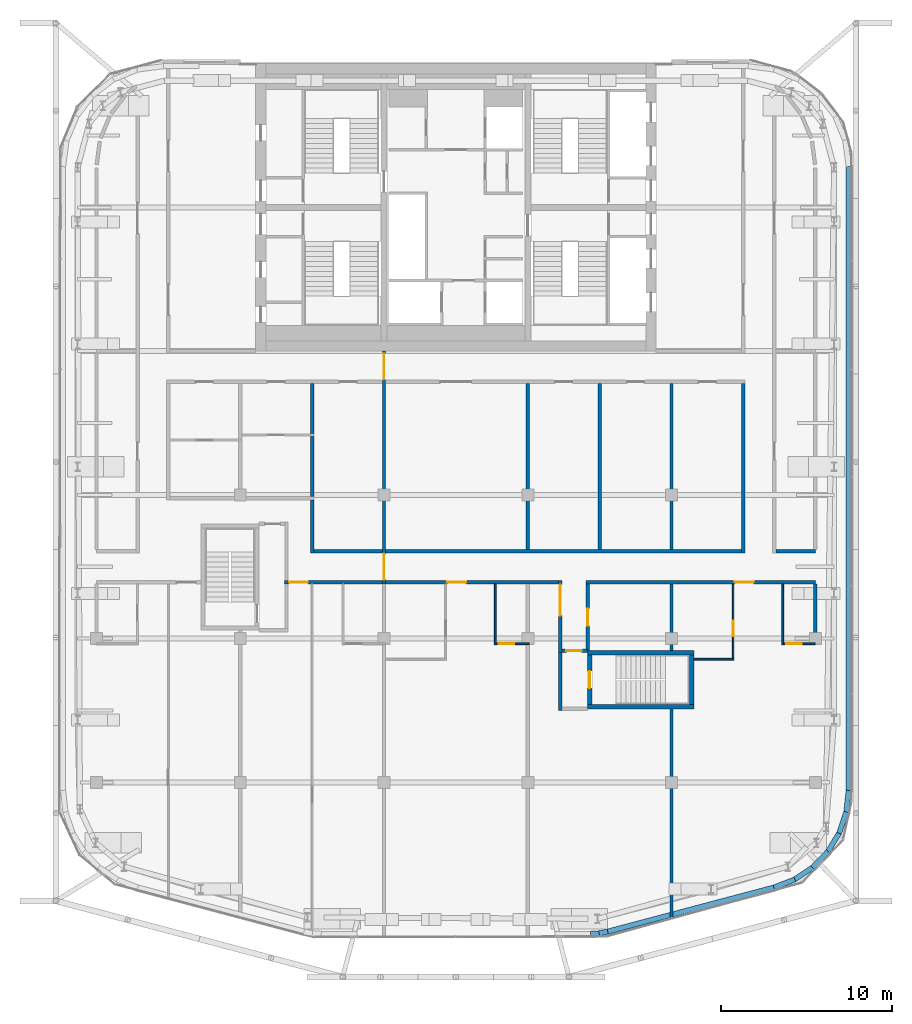
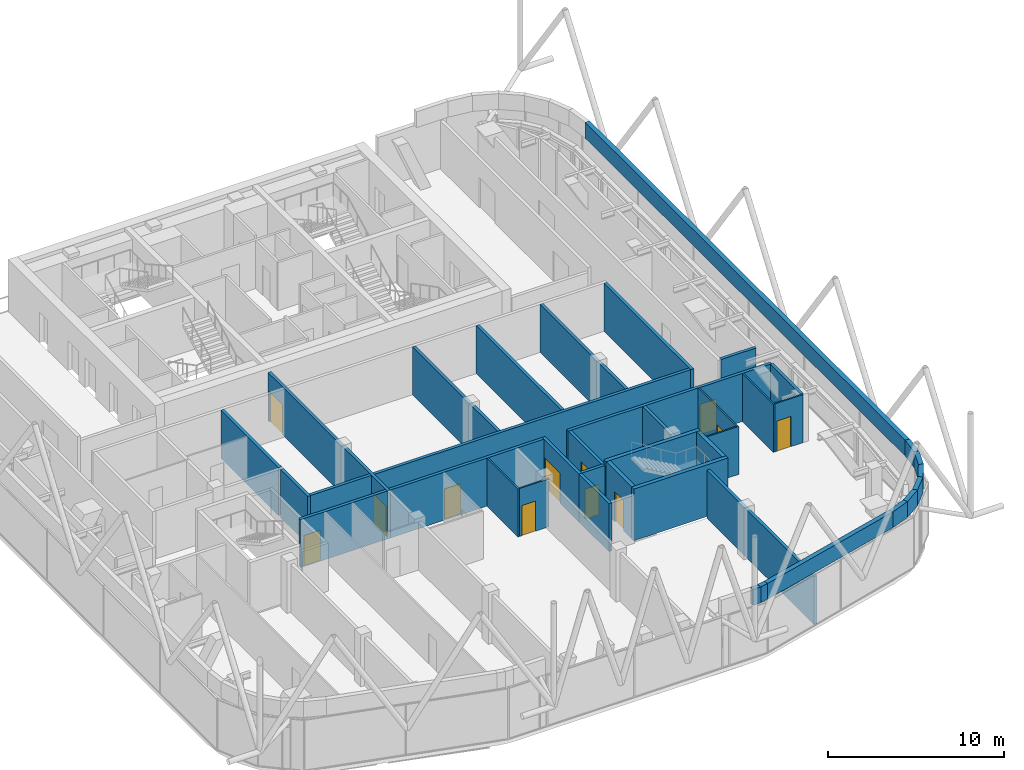
# One storey, part 20 of 25: 38 walls, 12 doors, 12 openings.
"""IFC4 building model written with IfcOpenShell, lengths in metres."""

from ifc_helpers import new_model, si_unit, direction, frame, frame_2d, origin, place, context, subcontext, project, spatial, rectangle, extrude, material, layer, layer_set, type_object, element, fill, save


model = new_model("IFC4")

# Units and contexts
model_context = context("Model", 3, precision=1e-05, world=origin(), true_north=direction((0.0, 1.0)))
body_context = subcontext(model_context, "Body", "Model", "MODEL_VIEW")
ifc_project = project(units=[si_unit("LENGTHUNIT", "METRE"), si_unit("AREAUNIT", "SQUARE_METRE"), si_unit("VOLUMEUNIT", "CUBIC_METRE"), si_unit("PLANEANGLEUNIT", "RADIAN"), si_unit("MASSUNIT", "GRAM", prefix="KILO")], contexts=[model_context])

# Site, building, storey
site_placement = place(None, origin())
site = spatial("IfcSite", under=ifc_project, at=site_placement, CompositionType="ELEMENT")
building_placement = place(site_placement, origin())
building = spatial("IfcBuilding", under=site, at=building_placement, Name="Marenta Gate Hotel Tower", CompositionType="ELEMENT")
storey_placement = place(building_placement, frame((0.0, 0.0, 277.699951171875)))
storey = spatial("IfcBuildingStorey", under=building, at=storey_placement, Name="L64", CompositionType="ELEMENT", Elevation=277.699951171875)

# Wall, openings, doors
ifc_material_1 = material(Name="Concrete blockwork", Category="masonry")
ifc_layer_1 = layer(ifc_material_1, 0.199951171875)
ifc_layer_set_1 = layer_set([ifc_layer_1], Name="Concrete blockwork")
wall_type_1 = type_object("IfcWallType", Name="Compartment wall 200 REI 180", PredefinedType="PARTITIONING", material=ifc_layer_set_1)
wall_1_placement = place(storey_placement, frame((-4.199951171875, -13.60009765625, 0.0), z_axis=(0.0, 0.0, 1.0), x_axis=(0.0, 1.0, 0.0)))
wall_1 = element("IfcWall", 1, at=wall_1_placement, inside=storey, type_object=wall_type_1, Name="L64-PTN-W041", PredefinedType="PARTITIONING", context=body_context, shape_type="SweptSolid", body=[
    extrude(rectangle(XDim=13.60009765625, YDim=0.199951171875, at=frame_2d((6.800048828125, 0.0))), origin(), (0.0, 0.0, 1.0), 3.340087890625),
])
opening_1_placement = place(wall_1_placement, frame((11.949951171875, 0.0, 0.0)))
opening_1 = element("IfcOpeningElement", 2, at=opening_1_placement, cuts=wall_1, Name="Opening G23-FD1", PredefinedType="OPENING", context=body_context, shape_type="SweptSolid", body=[
    extrude(rectangle(XDim=1.5, YDim=2.10009765625, at=frame_2d((0.75, 1.050048828125))), frame((0.0, 0.10009765625, 0.0), z_axis=(0.0, -1.0, 0.0), x_axis=(1.0, 0.0, 0.0)), (0.0, 0.0, 1.0), 0.199951171875),
])
opening_2_placement = place(wall_1_placement, frame((0.25, 0.0, 0.0)))
opening_2 = element("IfcOpeningElement", 3, at=opening_2_placement, cuts=wall_1, Name="Opening G23-FD2", PredefinedType="OPENING", context=body_context, shape_type="SweptSolid", body=[
    extrude(rectangle(XDim=1.5, YDim=2.10009765625, at=frame_2d((0.75, 1.050048828125))), frame((0.0, 0.10009765625, 0.0), z_axis=(0.0, -1.0, 0.0), x_axis=(1.0, 0.0, 0.0)), (0.0, 0.0, 1.0), 0.199951171875),
])
ifc_material_2 = material(Name="Hollow steel door set", Category="steel")
door_type_1 = type_object("IfcDoorType", Name="Compartment fire door 1500x2100 EI 60", OperationType="DOUBLE_DOOR_DOUBLE_SWING", PredefinedType="DOOR", material=ifc_material_2)
door_1_placement = place(opening_1_placement, origin())
door_1 = element("IfcDoor", 4, at=door_1_placement, inside=storey, type_object=door_type_1, Name="L64-PD-FD01", OperationType="DOUBLE_DOOR_DOUBLE_SWING", OverallHeight=2.10009765625, OverallWidth=1.5, PredefinedType="DOOR", context=body_context, shape_type="SweptSolid", body=[
    extrude(rectangle(XDim=1.5, YDim=2.10009765625, at=frame_2d((0.75, 1.050048828125))), frame((0.0, 0.02490234375, 0.0), z_axis=(0.0, -1.0, 0.0), x_axis=(1.0, 0.0, 0.0)), (0.0, 0.0, 1.0), 0.050048828125),
])
fill(opening_1, door_1)
door_2_placement = place(opening_2_placement, origin())
door_2 = element("IfcDoor", 5, at=door_2_placement, inside=storey, type_object=door_type_1, Name="L64-PD-FD02", OperationType="DOUBLE_DOOR_DOUBLE_SWING", OverallHeight=2.10009765625, OverallWidth=1.5, PredefinedType="DOOR", context=body_context, shape_type="SweptSolid", body=[
    extrude(rectangle(XDim=1.5, YDim=2.10009765625, at=frame_2d((0.75, 1.050048828125))), frame((0.0, 0.02490234375, 0.0), z_axis=(0.0, -1.0, 0.0), x_axis=(1.0, 0.0, 0.0)), (0.0, 0.0, 1.0), 0.050048828125),
])
fill(opening_2, door_2)

# Walls
ifc_material_3 = material(Name="Concrete C40 board-marked", Category="concrete")
ifc_layer_2 = layer(ifc_material_3, 0.300048828125)
ifc_layer_set_2 = layer_set([ifc_layer_2], Name="Concrete C40 board-marked")
wall_type_2 = type_object("IfcWallType", Name="Parapet 300 mm board-marked concrete", PredefinedType="PARAPET", material=ifc_layer_set_2)
wall_2_placement = place(storey_placement, frame((22.949951171875, 10.800048828125, 3.60009765625), z_axis=(0.0, 0.0, 1.0), x_axis=(0.0, -1.0, 0.0)))
element("IfcWall", 6, at=wall_2_placement, inside=storey, type_object=wall_type_2, Name="L64-PAR-10060", PredefinedType="PARAPET", context=body_context, shape_type="SweptSolid", body=[
    extrude(rectangle(XDim=36.484375, YDim=0.300048828125, at=frame_2d((18.2421875, 0.0))), origin(), (0.0, 0.0, 1.0), 1.099853515625),
])
wall_3_placement = place(storey_placement, frame((22.950927734375, -25.66796875, 3.60009765625), z_axis=(0.0, 0.0, 1.0), x_axis=(-0.109121157301, -0.994028456851, 0.0)))
element("IfcWall", 7, at=wall_3_placement, inside=storey, type_object=wall_type_2, Name="L64-PAR-10070", PredefinedType="PARAPET", context=body_context, shape_type="SweptSolid", body=[
    extrude(rectangle(XDim=1.308837890625, YDim=0.300048828125, at=frame_2d((0.654296875, 0.0))), origin(), (0.0, 0.0, 1.0), 1.099853515625),
])
wall_4_placement = place(storey_placement, frame((22.815185546875, -26.93701171875, 3.60009765625), z_axis=(0.0, 0.0, 1.0), x_axis=(-0.321986341971, -0.946744313732, 0.0)))
element("IfcWall", 8, at=wall_4_placement, inside=storey, type_object=wall_type_2, Name="L64-PAR-10080", PredefinedType="PARAPET", context=body_context, shape_type="SweptSolid", body=[
    extrude(rectangle(XDim=1.30859375, YDim=0.300048828125, at=frame_2d((0.654296875, 0.0))), origin(), (0.0, 0.0, 1.0), 1.099853515625),
])
wall_5_placement = place(storey_placement, frame((22.40771484375, -28.146484375, 3.60009765625), z_axis=(0.0, 0.0, 1.0), x_axis=(-0.519751696049, -0.854317373377, 0.0)))
element("IfcWall", 9, at=wall_5_placement, inside=storey, type_object=wall_type_2, Name="L64-PAR-10090", PredefinedType="PARAPET", context=body_context, shape_type="SweptSolid", body=[
    extrude(rectangle(XDim=1.30908203125, YDim=0.300048828125, at=frame_2d((0.654541015625, 0.0))), origin(), (0.0, 0.0, 1.0), 1.099853515625),
])
wall_6_placement = place(storey_placement, frame((21.747314453125, -29.23876953125, 3.60009765625), z_axis=(0.0, 0.0, 1.0), x_axis=(-0.692407566653, -0.721506591544, 0.0)))
element("IfcWall", 10, at=wall_6_placement, inside=storey, type_object=wall_type_2, Name="L64-PAR-10100", PredefinedType="PARAPET", context=body_context, shape_type="SweptSolid", body=[
    extrude(rectangle(XDim=1.308837890625, YDim=0.300048828125, at=frame_2d((0.654296875, 0.0))), origin(), (0.0, 0.0, 1.0), 1.099853515625),
])
wall_7_placement = place(storey_placement, frame((20.8662109375, -30.162109375, 3.60009765625), z_axis=(0.0, 0.0, 1.0), x_axis=(-0.832566414073, -0.55392523517, 0.0)))
element("IfcWall", 11, at=wall_7_placement, inside=storey, type_object=wall_type_2, Name="L64-PAR-10110", PredefinedType="PARAPET", context=body_context, shape_type="SweptSolid", body=[
    extrude(rectangle(XDim=1.30908203125, YDim=0.300048828125, at=frame_2d((0.654541015625, 0.0))), origin(), (0.0, 0.0, 1.0), 1.099853515625),
])
wall_8_placement = place(storey_placement, frame((19.805419921875, -30.8720703125, 3.60009765625), z_axis=(0.0, 0.0, 1.0), x_axis=(-0.932786730883, -0.360428792813, 0.0)))
element("IfcWall", 12, at=wall_8_placement, inside=storey, type_object=wall_type_2, Name="L64-PAR-10120", PredefinedType="PARAPET", context=body_context, shape_type="SweptSolid", body=[
    extrude(rectangle(XDim=1.30859375, YDim=0.300048828125, at=frame_2d((0.654296875, 0.0))), origin(), (0.0, 0.0, 1.0), 1.099853515625),
])
wall_9_placement = place(storey_placement, frame((18.60009765625, -31.338623046875, 3.60009765625), z_axis=(0.0, 0.0, 1.0), x_axis=(-0.966564868529, -0.256422220031, 0.0)))
element("IfcWall", 13, at=wall_9_placement, inside=storey, type_object=wall_type_2, Name="L64-PAR-10130", PredefinedType="PARAPET", context=body_context, shape_type="SweptSolid", body=[
    extrude(rectangle(XDim=10.0712890625, YDim=0.300048828125, at=frame_2d((5.03564453125, 0.0))), origin(), (0.0, 0.0, 1.0), 1.099853515625),
])
wall_10_placement = place(storey_placement, frame((8.875, -33.9189453125, 3.60009765625), z_axis=(0.0, 0.0, 1.0), x_axis=(-0.981066960595, -0.193668838043, 0.0)))
element("IfcWall", 14, at=wall_10_placement, inside=storey, type_object=wall_type_2, Name="L64-PAR-10140", PredefinedType="PARAPET", context=body_context, shape_type="SweptSolid", body=[
    extrude(rectangle(XDim=0.51806640625, YDim=0.300048828125, at=frame_2d((0.259033203125, 0.0))), origin(), (0.0, 0.0, 1.0), 1.099853515625),
])
wall_11_placement = place(storey_placement, frame((8.385986328125, -34.0166015625, 3.60009765625), z_axis=(0.0, 0.0, 1.0), x_axis=(-0.997886085242, -0.064987390167, 0.0)))
element("IfcWall", 15, at=wall_11_placement, inside=storey, type_object=wall_type_2, Name="L64-PAR-10150", PredefinedType="PARAPET", context=body_context, shape_type="SweptSolid", body=[
    extrude(rectangle(XDim=0.518310546875, YDim=0.300048828125, at=frame_2d((0.25927734375, 0.0))), origin(), (0.0, 0.0, 1.0), 1.099853515625),
])
ifc_material_4 = material(Name="Concrete C40", Category="concrete")
ifc_layer_3 = layer(ifc_material_4, 0.25)
ifc_layer_set_3 = layer_set([ifc_layer_3], Name="Concrete C40")
wall_type_3 = type_object("IfcWallType", Name="Remote stair enclosure wall 250 REI 180", PredefinedType="SHEAR", material=ifc_layer_set_3)
for number, where, z_axis, x_axis, name in (
    (16, (7.699951171875, -20.77490234375, 0.10009765625), (0.0, 0.0, 1.0), (1.0, 0.0, 0.0), "L64-RS-Z4-1-W1"),
    (17, (7.699951171875, -17.625, 0.10009765625), (0.0, 0.0, 1.0), (1.0, 0.0, 0.0), "L64-RS-Z4-1-W2"),
):
    element("IfcWall", number, at=place(storey_placement, frame(where, z_axis=z_axis, x_axis=x_axis)), inside=storey, type_object=wall_type_3, Name=name, PredefinedType="SHEAR", context=body_context, shape_type="SweptSolid", body=[
        extrude(rectangle(XDim=6.199951171875, YDim=0.25, at=frame_2d((3.10009765625, 0.0))), origin(), (0.0, 0.0, 1.0), 3.599853515625),
    ])

# Wall, opening, door
wall_12_placement = place(storey_placement, frame((7.824951171875, -20.64990234375, 0.10009765625), z_axis=(0.0, 0.0, 1.0), x_axis=(0.0, 1.0, 0.0)))
wall_12 = element("IfcWall", 18, at=wall_12_placement, inside=storey, type_object=wall_type_3, Name="L64-RS-Z4-1-W3", PredefinedType="SHEAR", context=body_context, shape_type="SweptSolid", body=[
    extrude(rectangle(XDim=2.89990234375, YDim=0.25, at=frame_2d((1.449951171875, 0.0))), origin(), (0.0, 0.0, 1.0), 3.599853515625),
])
opening_3_placement = place(wall_12_placement, frame((0.949951171875, 0.0, 0.0)))
opening_3 = element("IfcOpeningElement", 19, at=opening_3_placement, cuts=wall_12, Name="Opening VD", PredefinedType="OPENING", context=body_context, shape_type="SweptSolid", body=[
    extrude(rectangle(XDim=1.0, YDim=2.10009765625, at=frame_2d((0.5, 1.050048828125))), frame((0.0, 0.125, 0.0), z_axis=(0.0, -1.0, 0.0), x_axis=(1.0, 0.0, 0.0)), (0.0, 0.0, 1.0), 0.25),
])
ifc_material_5 = material(Name="Steel", Category="steel")
door_type_2 = type_object("IfcDoorType", Name="Stair vestibule door 1000x2100 FD60", OperationType="SINGLE_SWING_LEFT", PredefinedType="DOOR", material=ifc_material_5)
door_3_placement = place(opening_3_placement, origin())
door_3 = element("IfcDoor", 20, at=door_3_placement, inside=storey, type_object=door_type_2, Name="VD", OperationType="SINGLE_SWING_LEFT", OverallHeight=2.10009765625, OverallWidth=1.0, PredefinedType="DOOR", context=body_context, shape_type="SweptSolid", body=[
    extrude(rectangle(XDim=1.0, YDim=2.10009765625, at=frame_2d((0.5, 1.050048828125))), frame((0.0, 0.02490234375, 0.0), z_axis=(0.0, -1.0, 0.0), x_axis=(1.0, 0.0, 0.0)), (0.0, 0.0, 1.0), 0.050048828125),
])
fill(opening_3, door_3)

# Walls
wall_13_placement = place(storey_placement, frame((13.77490234375, -20.64990234375, 0.10009765625), z_axis=(0.0, 0.0, 1.0), x_axis=(0.0, 1.0, 0.0)))
element("IfcWall", 21, at=wall_13_placement, inside=storey, type_object=wall_type_3, Name="L64-RS-Z4-1-W4", PredefinedType="SHEAR", context=body_context, shape_type="SweptSolid", body=[
    extrude(rectangle(XDim=2.89990234375, YDim=0.25, at=frame_2d((1.449951171875, 0.0))), origin(), (0.0, 0.0, 1.0), 3.599853515625),
])
ifc_material_6 = material(Name="Gypsum board on steel stud", Category="steel")
ifc_layer_4 = layer(ifc_material_6, 0.199951171875)
ifc_layer_set_4 = layer_set([ifc_layer_4], Name="Gypsum board on steel stud")
wall_type_4 = type_object("IfcWallType", Name="Room corridor wall 200 EI 60", PredefinedType="PARTITIONING", material=ifc_layer_set_4)
wall_14_placement = place(storey_placement, frame((21.0, -17.050048828125, 0.0), z_axis=(0.0, 0.0, 1.0), x_axis=(0.0, 1.0, 0.0)))
element("IfcWall", 22, at=wall_14_placement, inside=storey, type_object=wall_type_4, Name="L64-PTN-W001", PredefinedType="PARTITIONING", context=body_context, shape_type="SweptSolid", body=[
    extrude(rectangle(XDim=3.449951171875, YDim=0.199951171875, at=frame_2d((1.72509765625, 0.0))), origin(), (0.0, 0.0, 1.0), 3.340087890625),
])
wall_15_placement = place(storey_placement, frame((16.800048828125, -11.800048828125, 0.0), z_axis=(0.0, 0.0, 1.0), x_axis=(0.0, 1.0, 0.0)))
element("IfcWall", 23, at=wall_15_placement, inside=storey, type_object=wall_type_4, Name="L64-PTN-W013", PredefinedType="PARTITIONING", context=body_context, shape_type="SweptSolid", body=[
    extrude(rectangle(XDim=9.900146484375, YDim=0.199951171875, at=frame_2d((4.9501953125, 0.0))), origin(), (0.0, 0.0, 1.0), 3.340087890625),
])

# Wall, openings, doors
wall_16_placement = place(storey_placement, frame((-10.0, -13.5, 0.0), z_axis=(0.0, 0.0, 1.0), x_axis=(1.0, 0.0, 0.0)))
wall_16 = element("IfcWall", 24, at=wall_16_placement, inside=storey, type_object=wall_type_4, Name="L64-PTN-W017", PredefinedType="PARTITIONING", context=body_context, shape_type="SweptSolid", body=[
    extrude(rectangle(XDim=16.0, YDim=0.199951171875, at=frame_2d((8.0, 0.0))), origin(), (0.0, 0.0, 1.0), 3.340087890625),
])
opening_4_placement = place(wall_16_placement, frame((0.25, 0.0, 0.0)))
opening_4 = element("IfcOpeningElement", 25, at=opening_4_placement, cuts=wall_16, Name="Opening G23-14", PredefinedType="OPENING", context=body_context, shape_type="SweptSolid", body=[
    extrude(rectangle(XDim=1.10009765625, YDim=2.10009765625, at=frame_2d((0.550048828125, 1.050048828125))), frame((0.0, 0.10009765625, 0.0), z_axis=(0.0, -1.0, 0.0), x_axis=(1.0, 0.0, 0.0)), (0.0, 0.0, 1.0), 0.199951171875),
])
opening_5_placement = place(wall_16_placement, frame((9.5, 0.0, 0.0)))
opening_5 = element("IfcOpeningElement", 26, at=opening_5_placement, cuts=wall_16, Name="Opening G23-17", PredefinedType="OPENING", context=body_context, shape_type="SweptSolid", body=[
    extrude(rectangle(XDim=1.10009765625, YDim=2.10009765625, at=frame_2d((0.550048828125, 1.050048828125))), frame((0.0, 0.10009765625, 0.0), z_axis=(0.0, -1.0, 0.0), x_axis=(1.0, 0.0, 0.0)), (0.0, 0.0, 1.0), 0.199951171875),
])
ifc_material_7 = material(Name="Timber door leaf", Category="wood")
door_type_3 = type_object("IfcDoorType", Name="Guest room door 1100x2100 EI 30", OperationType="NOTDEFINED", PredefinedType="DOOR", material=ifc_material_7)
door_4_placement = place(opening_4_placement, origin())
door_4 = element("IfcDoor", 27, at=door_4_placement, inside=storey, type_object=door_type_3, Name="L64-PD-D014", OperationType="SINGLE_SWING_RIGHT", OverallHeight=2.10009765625, OverallWidth=1.10009765625, PredefinedType="DOOR", context=body_context, shape_type="SweptSolid", body=[
    extrude(rectangle(XDim=1.10009765625, YDim=2.10009765625, at=frame_2d((0.550048828125, 1.050048828125))), frame((0.0, 0.02490234375, 0.0), z_axis=(0.0, -1.0, 0.0), x_axis=(1.0, 0.0, 0.0)), (0.0, 0.0, 1.0), 0.050048828125),
])
fill(opening_4, door_4)
door_5_placement = place(opening_5_placement, origin())
door_5 = element("IfcDoor", 28, at=door_5_placement, inside=storey, type_object=door_type_3, Name="L64-PD-D017", OperationType="SINGLE_SWING_RIGHT", OverallHeight=2.10009765625, OverallWidth=1.10009765625, PredefinedType="DOOR", context=body_context, shape_type="SweptSolid", body=[
    extrude(rectangle(XDim=1.10009765625, YDim=2.10009765625, at=frame_2d((0.550048828125, 1.050048828125))), frame((0.0, 0.02490234375, 0.0), z_axis=(0.0, -1.0, 0.0), x_axis=(1.0, 0.0, 0.0)), (0.0, 0.0, 1.0), 0.050048828125),
])
fill(opening_5, door_5)

# Wall, opening, door
wall_17_placement = place(storey_placement, frame((7.60009765625, -13.5, 0.0), z_axis=(0.0, 0.0, 1.0), x_axis=(1.0, 0.0, 0.0)))
wall_17 = element("IfcWall", 29, at=wall_17_placement, inside=storey, type_object=wall_type_4, Name="L64-PTN-W018", PredefinedType="PARTITIONING", context=body_context, shape_type="SweptSolid", body=[
    extrude(rectangle(XDim=13.39990234375, YDim=0.199951171875, at=frame_2d((6.699951171875, 0.0))), origin(), (0.0, 0.0, 1.0), 3.340087890625),
])
opening_6_placement = place(wall_17_placement, frame((8.699951171875, 0.0, 0.0)))
opening_6 = element("IfcOpeningElement", 30, at=opening_6_placement, cuts=wall_17, Name="Opening G23-21", PredefinedType="OPENING", context=body_context, shape_type="SweptSolid", body=[
    extrude(rectangle(XDim=1.10009765625, YDim=2.10009765625, at=frame_2d((0.550048828125, 1.050048828125))), frame((0.0, 0.10009765625, 0.0), z_axis=(0.0, -1.0, 0.0), x_axis=(1.0, 0.0, 0.0)), (0.0, 0.0, 1.0), 0.199951171875),
])
door_6_placement = place(opening_6_placement, origin())
door_6 = element("IfcDoor", 31, at=door_6_placement, inside=storey, type_object=door_type_3, Name="L64-PD-D021", OperationType="SINGLE_SWING_RIGHT", OverallHeight=2.10009765625, OverallWidth=1.10009765625, PredefinedType="DOOR", context=body_context, shape_type="SweptSolid", body=[
    extrude(rectangle(XDim=1.10009765625, YDim=2.10009765625, at=frame_2d((0.550048828125, 1.050048828125))), frame((0.0, 0.02490234375, 0.0), z_axis=(0.0, -1.0, 0.0), x_axis=(1.0, 0.0, 0.0)), (0.0, 0.0, 1.0), 0.050048828125),
])
fill(opening_6, door_6)

# Walls
wall_18_placement = place(storey_placement, frame((-8.300048828125, -11.699951171875, 0.0), z_axis=(0.0, 0.0, 1.0), x_axis=(1.0, 0.0, 0.0)))
element("IfcWall", 32, at=wall_18_placement, inside=storey, type_object=wall_type_4, Name="L64-PTN-W023", PredefinedType="PARTITIONING", context=body_context, shape_type="SweptSolid", body=[
    extrude(rectangle(XDim=25.0, YDim=0.199951171875, at=frame_2d((12.5, 0.0))), origin(), (0.0, 0.0, 1.0), 3.340087890625),
])
wall_19_placement = place(storey_placement, frame((18.699951171875, -11.699951171875, 0.0), z_axis=(0.0, 0.0, 1.0), x_axis=(1.0, 0.0, 0.0)))
element("IfcWall", 33, at=wall_19_placement, inside=storey, type_object=wall_type_4, Name="L64-PTN-W024", PredefinedType="PARTITIONING", context=body_context, shape_type="SweptSolid", body=[
    extrude(rectangle(XDim=2.300048828125, YDim=0.199951171875, at=frame_2d((1.14990234375, 0.0))), origin(), (0.0, 0.0, 1.0), 3.340087890625),
])

# Wall, opening, door
wall_20_placement = place(storey_placement, frame((7.699951171875, -17.5, 0.0), z_axis=(0.0, 0.0, 1.0), x_axis=(0.0, 1.0, 0.0)))
wall_20 = element("IfcWall", 34, at=wall_20_placement, inside=storey, type_object=wall_type_4, Name="L64-PTN-W028", PredefinedType="PARTITIONING", context=body_context, shape_type="SweptSolid", body=[
    extrude(rectangle(XDim=3.89990234375, YDim=0.199951171875, at=frame_2d((1.949951171875, 0.0))), origin(), (0.0, 0.0, 1.0), 3.340087890625),
])
opening_7_placement = place(wall_20_placement, frame((1.449951171875, 0.0, 0.0)))
opening_7 = element("IfcOpeningElement", 35, at=opening_7_placement, cuts=wall_20, Name="Opening G23-29", PredefinedType="OPENING", context=body_context, shape_type="SweptSolid", body=[
    extrude(rectangle(XDim=1.0, YDim=2.10009765625, at=frame_2d((0.5, 1.050048828125))), frame((0.0, 0.10009765625, 0.0), z_axis=(0.0, -1.0, 0.0), x_axis=(1.0, 0.0, 0.0)), (0.0, 0.0, 1.0), 0.199951171875),
])
ifc_material_8 = material(Name="Timber door leaf", Category="wood")
door_type_4 = type_object("IfcDoorType", Name="Room amenity door 1000x2100 EI 30", OperationType="NOTDEFINED", PredefinedType="DOOR", material=ifc_material_8)
door_7_placement = place(opening_7_placement, origin())
door_7 = element("IfcDoor", 36, at=door_7_placement, inside=storey, type_object=door_type_4, Name="L64-PD-D029", OperationType="SINGLE_SWING_LEFT", OverallHeight=2.10009765625, OverallWidth=1.0, PredefinedType="DOOR", context=body_context, shape_type="SweptSolid", body=[
    extrude(rectangle(XDim=1.0, YDim=2.10009765625, at=frame_2d((0.5, 1.050048828125))), frame((0.0, 0.02490234375, 0.0), z_axis=(0.0, -1.0, 0.0), x_axis=(1.0, 0.0, 0.0)), (0.0, 0.0, 1.0), 0.050048828125),
])
fill(opening_7, door_7)

wall_21_placement = place(storey_placement, frame((6.10009765625, -17.60009765625, 0.0), z_axis=(0.0, 0.0, 1.0), x_axis=(0.0, 1.0, 0.0)))
wall_21 = element("IfcWall", 37, at=wall_21_placement, inside=storey, type_object=wall_type_4, Name="L64-PTN-W030", PredefinedType="PARTITIONING", context=body_context, shape_type="SweptSolid", body=[
    extrude(rectangle(XDim=4.2001953125, YDim=0.199951171875, at=frame_2d((2.10009765625, 0.0))), origin(), (0.0, 0.0, 1.0), 3.340087890625),
])
opening_8_placement = place(wall_21_placement, frame((2.14990234375, 0.0, 0.0)))
opening_8 = element("IfcOpeningElement", 38, at=opening_8_placement, cuts=wall_21, Name="Opening G23-20", PredefinedType="OPENING", context=body_context, shape_type="SweptSolid", body=[
    extrude(rectangle(XDim=1.800048828125, YDim=2.10009765625, at=frame_2d((0.89990234375, 1.050048828125))), frame((0.0, 0.10009765625, 0.0), z_axis=(0.0, -1.0, 0.0), x_axis=(1.0, 0.0, 0.0)), (0.0, 0.0, 1.0), 0.199951171875),
])
ifc_material_9 = material(Name="Timber door leaf", Category="wood")
door_type_5 = type_object("IfcDoorType", Name="Room amenity door 1800x2100 EI 30", OperationType="DOUBLE_DOOR_SINGLE_SWING", PredefinedType="DOOR", material=ifc_material_9)
door_8_placement = place(opening_8_placement, origin())
door_8 = element("IfcDoor", 39, at=door_8_placement, inside=storey, type_object=door_type_5, Name="L64-PD-D020", OperationType="DOUBLE_DOOR_SINGLE_SWING", OverallHeight=2.10009765625, OverallWidth=1.800048828125, PredefinedType="DOOR", context=body_context, shape_type="SweptSolid", body=[
    extrude(rectangle(XDim=1.800048828125, YDim=2.10009765625, at=frame_2d((0.89990234375, 1.050048828125))), frame((0.0, 0.02490234375, 0.0), z_axis=(0.0, -1.0, 0.0), x_axis=(1.0, 0.0, 0.0)), (0.0, 0.0, 1.0), 0.050048828125),
])
fill(opening_8, door_8)

# Wall
wall_22_placement = place(storey_placement, frame((-8.39990234375, -11.800048828125, 0.0), z_axis=(0.0, 0.0, 1.0), x_axis=(0.0, 1.0, 0.0)))
element("IfcWall", 40, at=wall_22_placement, inside=storey, type_object=wall_type_4, Name="L64-PTN-W044", PredefinedType="PARTITIONING", context=body_context, shape_type="SweptSolid", body=[
    extrude(rectangle(XDim=3.10009765625, YDim=0.199951171875, at=frame_2d((1.550048828125, 0.0))), origin(), (0.0, 0.0, 1.0), 3.340087890625),
])

# Wall, opening, door
ifc_material_10 = material(Name="Concrete blockwork", Category="masonry")
ifc_layer_5 = layer(ifc_material_10, 0.199951171875)
ifc_layer_set_5 = layer_set([ifc_layer_5], Name="Concrete blockwork")
wall_type_5 = type_object("IfcWallType", Name="Room corridor wall 200 REI 180", PredefinedType="PARTITIONING", material=ifc_layer_set_5)
wall_23_placement = place(storey_placement, frame((6.199951171875, -17.5, 0.0), z_axis=(0.0, 0.0, 1.0), x_axis=(1.0, 0.0, 0.0)))
wall_23 = element("IfcWall", 41, at=wall_23_placement, inside=storey, type_object=wall_type_5, Name="L64-PTN-W008", PredefinedType="PARTITIONING", context=body_context, shape_type="SweptSolid", body=[
    extrude(rectangle(XDim=1.5, YDim=0.199951171875, at=frame_2d((0.75, 0.0))), origin(), (0.0, 0.0, 1.0), 3.340087890625),
])
opening_9_placement = place(wall_23_placement, frame((0.25, 0.0, 0.0)))
opening_9 = element("IfcOpeningElement", 42, at=opening_9_placement, cuts=wall_23, Name="Opening G23-25", PredefinedType="OPENING", context=body_context, shape_type="SweptSolid", body=[
    extrude(rectangle(XDim=0.89990234375, YDim=2.10009765625, at=frame_2d((0.449951171875, 1.050048828125))), frame((0.0, 0.10009765625, 0.0), z_axis=(0.0, -1.0, 0.0), x_axis=(1.0, 0.0, 0.0)), (0.0, 0.0, 1.0), 0.199951171875),
])
ifc_material_11 = material(Name="Hollow steel door set", Category="steel")
door_type_6 = type_object("IfcDoorType", Name="Stair vestibule door 900x2100 EI 60", OperationType="NOTDEFINED", PredefinedType="DOOR", material=ifc_material_11)
door_9_placement = place(opening_9_placement, origin())
door_9 = element("IfcDoor", 43, at=door_9_placement, inside=storey, type_object=door_type_6, Name="L64-PD-D025", OperationType="SINGLE_SWING_LEFT", OverallHeight=2.10009765625, OverallWidth=0.89990234375, PredefinedType="DOOR", context=body_context, shape_type="SweptSolid", body=[
    extrude(rectangle(XDim=0.89990234375, YDim=2.10009765625, at=frame_2d((0.449951171875, 1.050048828125))), frame((0.0, 0.02490234375, 0.0), z_axis=(0.0, -1.0, 0.0), x_axis=(1.0, 0.0, 0.0)), (0.0, 0.0, 1.0), 0.050048828125),
])
fill(opening_9, door_9)

# Walls
ifc_material_12 = material(Name="Gypsum board on steel stud", Category="steel")
ifc_layer_6 = layer(ifc_material_12, 0.10009765625)
ifc_layer_set_6 = layer_set([ifc_layer_6], Name="Gypsum board on steel stud")
wall_type_6 = type_object("IfcWallType", Name="Room partition 100", PredefinedType="PARTITIONING", material=ifc_layer_set_6)
wall_24_placement = place(storey_placement, frame((19.10009765625, -17.14990234375, 0.0), z_axis=(0.0, 0.0, 1.0), x_axis=(0.0, 1.0, 0.0)))
element("IfcWall", 44, at=wall_24_placement, inside=storey, type_object=wall_type_6, Name="L64-PTN-W004", PredefinedType="PARTITIONING", context=body_context, shape_type="SweptSolid", body=[
    extrude(rectangle(XDim=3.5498046875, YDim=0.10009765625, at=frame_2d((1.77490234375, 0.0))), origin(), (0.0, 0.0, 1.0), 3.340087890625),
])
wall_25_placement = place(storey_placement, frame((13.89990234375, -18.0, 0.0), z_axis=(0.0, 0.0, 1.0), x_axis=(1.0, 0.0, 0.0)))
element("IfcWall", 45, at=wall_25_placement, inside=storey, type_object=wall_type_6, Name="L64-PTN-W007", PredefinedType="PARTITIONING", context=body_context, shape_type="SweptSolid", body=[
    extrude(rectangle(XDim=2.35009765625, YDim=0.10009765625, at=frame_2d((1.175048828125, 0.0))), origin(), (0.0, 0.0, 1.0), 3.340087890625),
])

# Wall, opening, door
wall_26_placement = place(storey_placement, frame((2.35009765625, -17.10009765625, 0.0), z_axis=(0.0, 0.0, 1.0), x_axis=(1.0, 0.0, 0.0)))
wall_26 = element("IfcWall", 46, at=wall_26_placement, inside=storey, type_object=wall_type_6, Name="L64-PTN-W011", PredefinedType="PARTITIONING", context=body_context, shape_type="SweptSolid", body=[
    extrude(rectangle(XDim=1.949951171875, YDim=0.10009765625, at=frame_2d((0.97509765625, 0.0))), origin(), (0.0, 0.0, 1.0), 3.340087890625),
])
opening_10_placement = place(wall_26_placement, frame((0.14990234375, 0.0, 0.0)))
opening_10 = element("IfcOpeningElement", 47, at=opening_10_placement, cuts=wall_26, Name="Opening G23-19", PredefinedType="OPENING", context=body_context, shape_type="SweptSolid", body=[
    extrude(rectangle(XDim=0.89990234375, YDim=2.10009765625, at=frame_2d((0.449951171875, 1.050048828125))), frame((0.0, 0.050048828125, 0.0), z_axis=(0.0, -1.0, 0.0), x_axis=(1.0, 0.0, 0.0)), (0.0, 0.0, 1.0), 0.10009765625),
])
ifc_material_13 = material(Name="Timber door leaf", Category="wood")
door_type_7 = type_object("IfcDoorType", Name="Room inner door 900x2100", OperationType="NOTDEFINED", PredefinedType="DOOR", material=ifc_material_13)
door_10_placement = place(opening_10_placement, origin())
door_10 = element("IfcDoor", 48, at=door_10_placement, inside=storey, type_object=door_type_7, Name="L64-PD-D019", OperationType="SINGLE_SWING_LEFT", OverallHeight=2.10009765625, OverallWidth=0.89990234375, PredefinedType="DOOR", context=body_context, shape_type="SweptSolid", body=[
    extrude(rectangle(XDim=0.89990234375, YDim=2.10009765625, at=frame_2d((0.449951171875, 1.050048828125))), frame((0.0, 0.02490234375, 0.0), z_axis=(0.0, -1.0, 0.0), x_axis=(1.0, 0.0, 0.0)), (0.0, 0.0, 1.0), 0.050048828125),
])
fill(opening_10, door_10)

wall_27_placement = place(storey_placement, frame((19.14990234375, -17.10009765625, 0.0), z_axis=(0.0, 0.0, 1.0), x_axis=(1.0, 0.0, 0.0)))
wall_27 = element("IfcWall", 49, at=wall_27_placement, inside=storey, type_object=wall_type_6, Name="L64-PTN-W012", PredefinedType="PARTITIONING", context=body_context, shape_type="SweptSolid", body=[
    extrude(rectangle(XDim=1.85009765625, YDim=0.10009765625, at=frame_2d((0.925048828125, 0.0))), origin(), (0.0, 0.0, 1.0), 3.340087890625),
])
opening_11_placement = place(wall_27_placement, frame((0.14990234375, 0.0, 0.0)))
opening_11 = element("IfcOpeningElement", 50, at=opening_11_placement, cuts=wall_27, Name="Opening G23-23", PredefinedType="OPENING", context=body_context, shape_type="SweptSolid", body=[
    extrude(rectangle(XDim=0.89990234375, YDim=2.10009765625, at=frame_2d((0.449951171875, 1.050048828125))), frame((0.0, 0.050048828125, 0.0), z_axis=(0.0, -1.0, 0.0), x_axis=(1.0, 0.0, 0.0)), (0.0, 0.0, 1.0), 0.10009765625),
])
door_11_placement = place(opening_11_placement, origin())
door_11 = element("IfcDoor", 51, at=door_11_placement, inside=storey, type_object=door_type_7, Name="L64-PD-D023", OperationType="SINGLE_SWING_LEFT", OverallHeight=2.10009765625, OverallWidth=0.89990234375, PredefinedType="DOOR", context=body_context, shape_type="SweptSolid", body=[
    extrude(rectangle(XDim=0.89990234375, YDim=2.10009765625, at=frame_2d((0.449951171875, 1.050048828125))), frame((0.0, 0.02490234375, 0.0), z_axis=(0.0, -1.0, 0.0), x_axis=(1.0, 0.0, 0.0)), (0.0, 0.0, 1.0), 0.050048828125),
])
fill(opening_11, door_11)

wall_28_placement = place(storey_placement, frame((16.199951171875, -17.949951171875, 0.0), z_axis=(0.0, 0.0, 1.0), x_axis=(0.0, 1.0, 0.0)))
wall_28 = element("IfcWall", 52, at=wall_28_placement, inside=storey, type_object=wall_type_6, Name="L64-PTN-W015", PredefinedType="PARTITIONING", context=body_context, shape_type="SweptSolid", body=[
    extrude(rectangle(XDim=4.349853515625, YDim=0.10009765625, at=frame_2d((2.1748046875, 0.0))), origin(), (0.0, 0.0, 1.0), 3.340087890625),
])
opening_12_placement = place(wall_28_placement, frame((1.300048828125, 0.0, 0.0)))
opening_12 = element("IfcOpeningElement", 53, at=opening_12_placement, cuts=wall_28, Name="Opening G23-22", PredefinedType="OPENING", context=body_context, shape_type="SweptSolid", body=[
    extrude(rectangle(XDim=0.89990234375, YDim=2.10009765625, at=frame_2d((0.449951171875, 1.050048828125))), frame((0.0, 0.050048828125, 0.0), z_axis=(0.0, -1.0, 0.0), x_axis=(1.0, 0.0, 0.0)), (0.0, 0.0, 1.0), 0.10009765625),
])
ifc_material_14 = material(Name="Timber door leaf", Category="wood")
door_type_8 = type_object("IfcDoorType", Name="Guest bathroom door 900x2100", OperationType="NOTDEFINED", PredefinedType="DOOR", material=ifc_material_14)
door_12_placement = place(opening_12_placement, origin())
door_12 = element("IfcDoor", 54, at=door_12_placement, inside=storey, type_object=door_type_8, Name="L64-PD-D022", OperationType="SINGLE_SWING_LEFT", OverallHeight=2.10009765625, OverallWidth=0.89990234375, PredefinedType="DOOR", context=body_context, shape_type="SweptSolid", body=[
    extrude(rectangle(XDim=0.89990234375, YDim=2.10009765625, at=frame_2d((0.449951171875, 1.050048828125))), frame((0.0, 0.02490234375, 0.0), z_axis=(0.0, -1.0, 0.0), x_axis=(1.0, 0.0, 0.0)), (0.0, 0.0, 1.0), 0.050048828125),
])
fill(opening_12, door_12)

# Walls
wall_29_placement = place(storey_placement, frame((2.300048828125, -17.14990234375, 0.0), z_axis=(0.0, 0.0, 1.0), x_axis=(0.0, 1.0, 0.0)))
element("IfcWall", 55, at=wall_29_placement, inside=storey, type_object=wall_type_6, Name="L64-PTN-W035", PredefinedType="PARTITIONING", context=body_context, shape_type="SweptSolid", body=[
    extrude(rectangle(XDim=3.5498046875, YDim=0.10009765625, at=frame_2d((1.77490234375, 0.0))), origin(), (0.0, 0.0, 1.0), 3.340087890625),
])
ifc_material_15 = material(Name="Concrete blockwork", Category="masonry")
ifc_layer_7 = layer(ifc_material_15, 0.199951171875)
ifc_layer_set_7 = layer_set([ifc_layer_7], Name="Concrete blockwork")
wall_type_7 = type_object("IfcWallType", Name="Room party wall 200 EI 120", PredefinedType="PARTITIONING", material=ifc_layer_set_7)
wall_30_placement = place(storey_placement, frame((-8.39990234375, -8.5, 0.0), z_axis=(0.0, 0.0, 1.0), x_axis=(0.0, 1.0, 0.0)))
element("IfcWall", 56, at=wall_30_placement, inside=storey, type_object=wall_type_7, Name="L64-PTN-W045", PredefinedType="PARTITIONING", context=body_context, shape_type="SweptSolid", body=[
    extrude(rectangle(XDim=6.60009765625, YDim=0.199951171875, at=frame_2d((3.300048828125, 0.0))), origin(), (0.0, 0.0, 1.0), 3.340087890625),
])
ifc_material_16 = material(Name="Gypsum board on steel stud", Category="steel")
ifc_layer_8 = layer(ifc_material_16, 0.199951171875)
ifc_layer_set_8 = layer_set([ifc_layer_8], Name="Gypsum board on steel stud")
wall_type_8 = type_object("IfcWallType", Name="Room party wall 200 EI 60", PredefinedType="PARTITIONING", material=ifc_layer_set_8)
wall_31_placement = place(storey_placement, frame((12.60009765625, -33.1298828125, 0.0), z_axis=(0.0, 0.0, 1.0), x_axis=(0.0, 1.0, 0.0)))
element("IfcWall", 57, at=wall_31_placement, inside=storey, type_object=wall_type_8, Name="L64-PTN-W019", PredefinedType="PARTITIONING", context=body_context, shape_type="SweptSolid", body=[
    extrude(rectangle(XDim=12.22998046875, YDim=0.199951171875, at=frame_2d((6.114990234375, 0.0))), origin(), (0.0, 0.0, 1.0), 3.340087890625),
])
wall_32_placement = place(storey_placement, frame((12.60009765625, -17.5, 0.0), z_axis=(0.0, 0.0, 1.0), x_axis=(0.0, 1.0, 0.0)))
element("IfcWall", 58, at=wall_32_placement, inside=storey, type_object=wall_type_8, Name="L64-PTN-W020", PredefinedType="PARTITIONING", context=body_context, shape_type="SweptSolid", body=[
    extrude(rectangle(XDim=3.89990234375, YDim=0.199951171875, at=frame_2d((1.949951171875, 0.0))), origin(), (0.0, 0.0, 1.0), 3.340087890625),
])
for number, where, z_axis, x_axis, name in (
    (59, (12.60009765625, -11.60009765625, 0.0), (0.0, 0.0, 1.0), (0.0, 1.0, 0.0), "L64-PTN-W021"),
    (60, (8.39990234375, -11.60009765625, 0.0), (0.0, 0.0, 1.0), (0.0, 1.0, 0.0), "L64-PTN-W027"),
    (61, (4.199951171875, -11.60009765625, 0.0), (0.0, 0.0, 1.0), (0.0, 1.0, 0.0), "L64-PTN-W034"),
):
    element("IfcWall", number, at=place(storey_placement, frame(where, z_axis=z_axis, x_axis=x_axis)), inside=storey, type_object=wall_type_8, Name=name, PredefinedType="PARTITIONING", context=body_context, shape_type="SweptSolid", body=[
        extrude(rectangle(XDim=9.7001953125, YDim=0.199951171875, at=frame_2d((4.85009765625, 0.0))), origin(), (0.0, 0.0, 1.0), 3.340087890625),
    ])
ifc_material_17 = material(Name="Concrete blockwork", Category="masonry")
ifc_layer_9 = layer(ifc_material_17, 0.199951171875)
ifc_layer_set_9 = layer_set([ifc_layer_9], Name="Concrete blockwork")
wall_type_9 = type_object("IfcWallType", Name="Room party wall 200 REI 180", PredefinedType="PARTITIONING", material=ifc_layer_set_9)
wall_33_placement = place(storey_placement, frame((6.10009765625, -21.0, 0.0), z_axis=(0.0, 0.0, 1.0), x_axis=(0.0, 1.0, 0.0)))
element("IfcWall", 62, at=wall_33_placement, inside=storey, type_object=wall_type_9, Name="L64-PTN-W029", PredefinedType="PARTITIONING", context=body_context, shape_type="SweptSolid", body=[
    extrude(rectangle(XDim=3.39990234375, YDim=0.199951171875, at=frame_2d((1.699951171875, 0.0))), origin(), (0.0, 0.0, 1.0), 3.340087890625),
])

save(model, "model.ifc")
